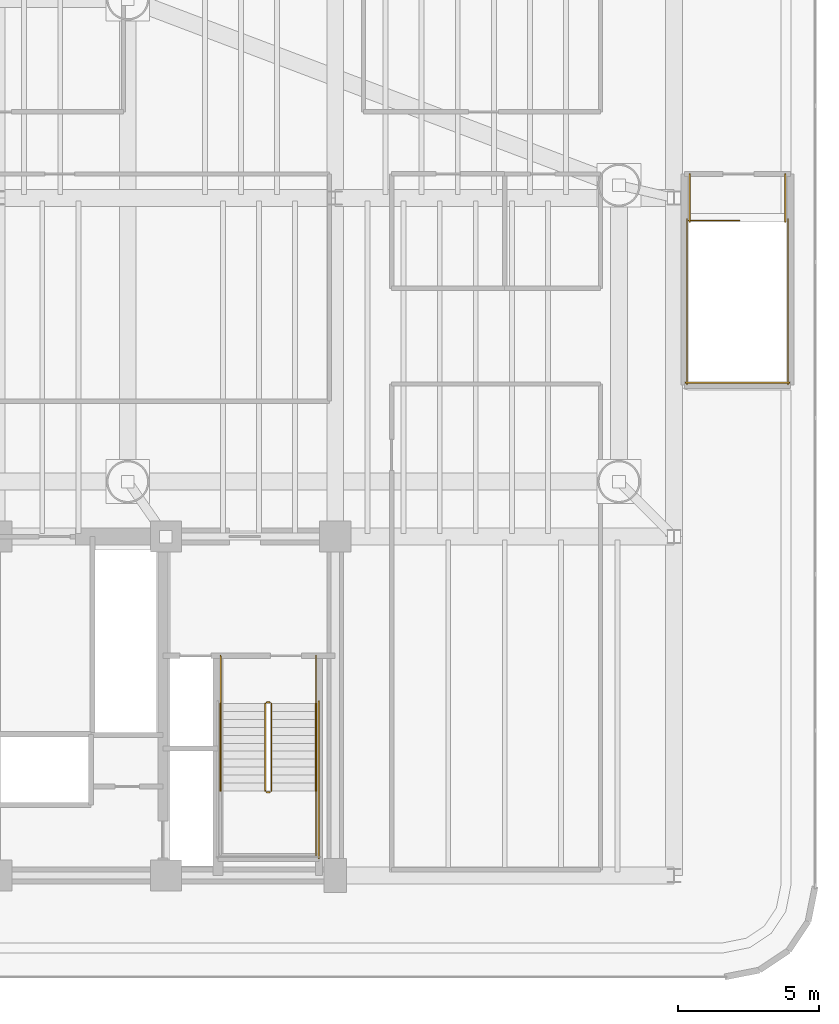
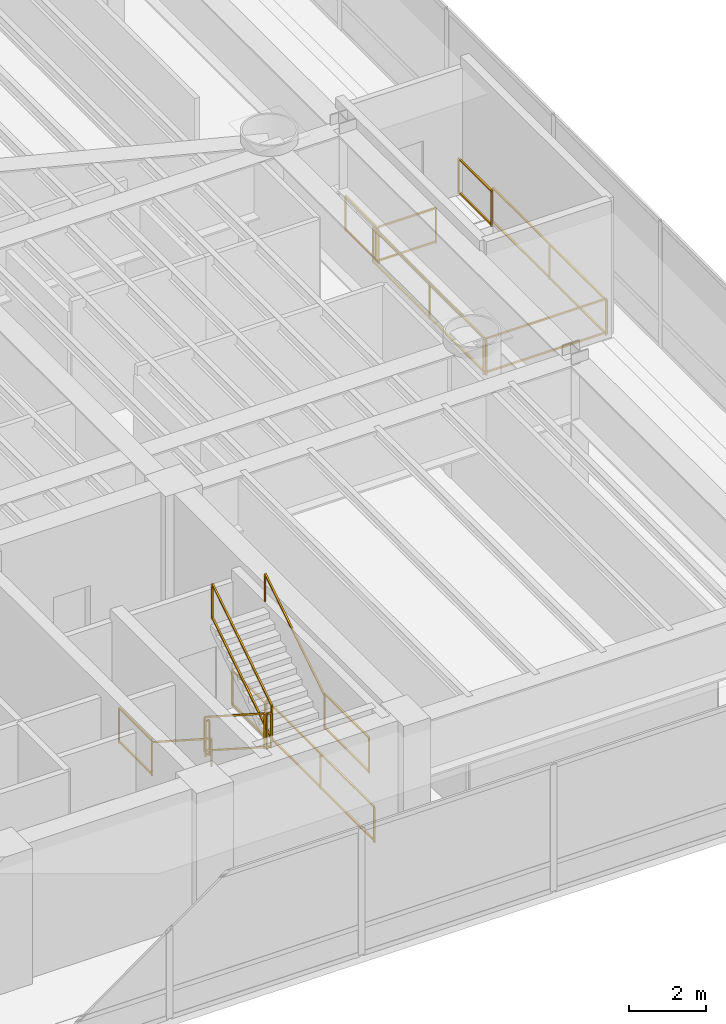
# One storey, part 18 of 18: 16 railings.
"""IFC4 building model written with IfcOpenShell, lengths in metres."""

import ifcopenshell
import ifcopenshell.guid

model = None  # the IFC model being written
_history = None  # IfcOwnerHistory: only IFC2X3 demands one
_inside = {}  # id of a spatial element -> (the spatial element, [elements in it])
_under = {}  # id of a project, library or spatial element -> (it, [spatial elements below it])
_declared = {}  # id of a project -> (the project, [libraries it declares])
_typed = {}  # id of a type object -> (the type object, [elements of that type])
_made_of = {}  # id of a material, layer set ... -> (it, [elements and type objects made of it])


def new_model(schema):
    """Start an empty IFC model of exactly this schema.

    Asked for "IFC4X3", IfcOpenShell would pick the latest addendum, in which some entities
    have other attributes; the version numbers below select the first issue.
    IFC2X3 requires an IfcOwnerHistory on every rooted entity: one is made here for all.
    """
    global model, _history
    if schema == "IFC4X3":
        model = ifcopenshell.file(schema_version=(4, 3, 0, 0))
    else:
        model = ifcopenshell.file(schema=schema)
    _inside.clear()
    _under.clear()
    _declared.clear()
    _typed.clear()
    _made_of.clear()
    _history = None
    if model.schema == "IFC2X3":
        org = make("IfcOrganization", Name="unknown")
        user = make(
            "IfcPersonAndOrganization",
            ThePerson=make("IfcPerson", FamilyName="unknown"),
            TheOrganization=org,
        )
        app = make(
            "IfcApplication",
            ApplicationDeveloper=org,
            Version="unknown",
            ApplicationFullName="unknown",
            ApplicationIdentifier="unknown",
        )
        _history = make(
            "IfcOwnerHistory",
            OwningUser=user,
            OwningApplication=app,
            ChangeAction="ADDED",
            CreationDate=0,
        )
    return model


def make(cls, **values):
    """One entity of the class cls with the attributes given. An attribute that is None is left unset."""
    return model.create_entity(
        cls, **{name: value for name, value in values.items() if value is not None}
    )


def rooted(cls, **values):
    """An entity with a GlobalId (a new one), such as an element, a storey or a relation."""
    return make(cls, GlobalId=ifcopenshell.guid.new(), OwnerHistory=_history, **values)


def si_unit(unit_type, name, prefix=None):
    """IfcSIUnit, for example si_unit("LENGTHUNIT", "METRE", prefix="MILLI")."""
    return make("IfcSIUnit", UnitType=unit_type, Prefix=prefix, Name=name)


def assignment(units):
    """IfcUnitAssignment: the units of a project."""
    return None if units is None else make("IfcUnitAssignment", Units=units)


def point(xyz):
    """IfcCartesianPoint."""
    return None if xyz is None else make("IfcCartesianPoint", Coordinates=xyz)


def direction(xyz):
    """IfcDirection."""
    return None if xyz is None else make("IfcDirection", DirectionRatios=xyz)


def frame(location, z_axis=None, x_axis=None):
    """IfcAxis2Placement3D, a coordinate frame: its origin and axes. An axis left out is left unset."""
    return make(
        "IfcAxis2Placement3D",
        Location=point(location),
        Axis=direction(z_axis),
        RefDirection=direction(x_axis),
    )


def frame_2d(location, x_axis=None):
    """IfcAxis2Placement2D, a coordinate frame in the plane: its origin and x axis."""
    return make(
        "IfcAxis2Placement2D", Location=point(location), RefDirection=direction(x_axis)
    )


def origin():
    """The frame at (0, 0, 0) with its axes left unset."""
    return frame((0.0, 0.0, 0.0))


def origin_2d():
    """The frame at (0, 0) in the plane with its x axis left unset."""
    return frame_2d((0.0, 0.0))


def place(relative_to, where):
    """IfcLocalPlacement: puts the frame where relative to a parent placement (None: the world)."""
    return make(
        "IfcLocalPlacement", PlacementRelTo=relative_to, RelativePlacement=where
    )


def context(
    kind, dimensions, precision=None, world=None, true_north=None, identifier=None
):
    """IfcGeometricRepresentationContext, for example the 3D "Model" context."""
    return make(
        "IfcGeometricRepresentationContext",
        ContextIdentifier=identifier,
        ContextType=kind,
        CoordinateSpaceDimension=dimensions,
        Precision=precision,
        WorldCoordinateSystem=world,
        TrueNorth=true_north,
    )


def subcontext(parent, identifier, kind, view, scale=None):
    """IfcGeometricRepresentationSubContext, for example "Body" below "Model"."""
    return make(
        "IfcGeometricRepresentationSubContext",
        ContextIdentifier=identifier,
        ContextType=kind,
        ParentContext=parent,
        TargetScale=scale,
        TargetView=view,
    )


def project(units=None, contexts=None):
    """IfcProject with its units and contexts."""
    return rooted(
        "IfcProject",
        Name="project",
        RepresentationContexts=contexts,
        UnitsInContext=assignment(units),
    )


def spatial(cls, under=None, at=None, **own):
    """A site, building, storey or space (cls), placed at a placement, below another one or the project."""
    s = rooted(cls, ObjectPlacement=at, **own)
    if under is not None:
        _under.setdefault(under.id(), (under, []))[1].append(s)
    return s


def profile(cls, at=None, kind="AREA", **sizes):
    """A parametric profile (cls). Its sizes go by their IFC names, for example OverallWidth=200.0."""
    return make(cls, ProfileType=kind, Position=at, **sizes)


def rectangle(**sizes):
    """IfcRectangleProfileDef."""
    return profile("IfcRectangleProfileDef", **sizes)


def extrude(swept, where, along, depth):
    """IfcExtrudedAreaSolid: the profile swept, set in the frame where, extruded along a direction by depth."""
    return make(
        "IfcExtrudedAreaSolid",
        SweptArea=swept,
        Position=where,
        ExtrudedDirection=direction(along),
        Depth=depth,
    )


def shape(context_of_items, identifier, shape_type, items):
    """IfcShapeRepresentation: the items that make up one representation, for example the "Body"."""
    return make(
        "IfcShapeRepresentation",
        ContextOfItems=context_of_items,
        RepresentationIdentifier=identifier,
        RepresentationType=shape_type,
        Items=items,
    )


def material(Name=None, Category=None):
    """IfcMaterial."""
    return make("IfcMaterial", Name=Name, Category=Category)


def layer(
    of_material, thickness, ventilated=None, Name=None, Category=None, Priority=None
):
    """IfcMaterialLayer: one layer of a wall or slab, of a material (None: an air gap)."""
    return make(
        "IfcMaterialLayer",
        Material=of_material,
        LayerThickness=thickness,
        IsVentilated=ventilated,
        Name=Name,
        Category=Category,
        Priority=Priority,
    )


def layer_set(layers, Name=None):
    """IfcMaterialLayerSet."""
    return make("IfcMaterialLayerSet", MaterialLayers=layers, LayerSetName=Name)


def made_of(thing, what):
    """Note that an element or type object is made of a material, layer set ...; save() writes the relation."""
    if what is not None:
        _made_of.setdefault(what.id(), (what, []))[1].append(thing)
    return thing


def type_object(cls, material=None, **own):
    """A type object (cls), such as IfcWallType, which elements share."""
    return made_of(rooted(cls, **own), material)


def element(
    cls,
    number,
    at=None,
    inside=None,
    cuts=None,
    type_object=None,
    material=None,
    context=None,
    identifier="Body",
    shape_type=None,
    held_by="IfcProductDefinitionShape",
    body=None,
    shapes=None,
    **own,
):
    """One element of the class cls, such as IfcWall. Its Tag is "e" and its number.

    at: its placement. inside: the storey or other place that contains it. cuts: it is an
    opening in that element (IfcRelVoidsElement). A single representation is given by context,
    identifier, shape_type and body (its items); several are given by shapes. held_by: the class
    of the entity that holds the representations. save() writes the other relations.
    """
    e = rooted(cls, Tag="e%d" % number, ObjectPlacement=at, **own)
    if body is not None:
        shapes = [shape(context, identifier, shape_type, body)]
    if shapes is not None:
        e.Representation = make(held_by, Representations=shapes)
    if inside is not None:
        _inside.setdefault(inside.id(), (inside, []))[1].append(e)
    if cuts is not None:
        rooted(
            "IfcRelVoidsElement", RelatingBuildingElement=cuts, RelatedOpeningElement=e
        )
    if type_object is not None:
        _typed.setdefault(type_object.id(), (type_object, []))[1].append(e)
    return made_of(e, material)


def aggregate(whole, parts):
    """IfcRelAggregates: a whole, such as a stair, and the parts it consists of."""
    return rooted("IfcRelAggregates", RelatingObject=whole, RelatedObjects=parts)


def save(model, path):
    """Write the relations noted so far, then the file.

    IfcRelAggregates (storeys below a building ...), IfcRelContainedInSpatialStructure (elements
    in a storey), IfcRelDefinesByType, IfcRelAssociatesMaterial and IfcRelDeclares: one each for
    every whole, place, type object, material and project.
    """
    for whole, parts in _under.values():
        aggregate(whole, parts)
    for where, things in _inside.values():
        rooted(
            "IfcRelContainedInSpatialStructure",
            RelatedElements=things,
            RelatingStructure=where,
        )
    for kind, things in _typed.values():
        rooted("IfcRelDefinesByType", RelatedObjects=things, RelatingType=kind)
    for what, things in _made_of.values():
        rooted("IfcRelAssociatesMaterial", RelatedObjects=things, RelatingMaterial=what)
    for by, libraries in _declared.values():
        rooted("IfcRelDeclares", RelatingContext=by, RelatedDefinitions=libraries)
    model.write(path)


model = new_model("IFC4")

# Units and contexts
model_context = context("Model", 3, precision=1e-05, world=origin(), true_north=direction((0.0, 1.0)))
body_context = subcontext(model_context, "Body", "Model", "MODEL_VIEW")
ifc_project = project(units=[si_unit("LENGTHUNIT", "METRE"), si_unit("AREAUNIT", "SQUARE_METRE"), si_unit("VOLUMEUNIT", "CUBIC_METRE"), si_unit("PLANEANGLEUNIT", "RADIAN"), si_unit("MASSUNIT", "GRAM", prefix="KILO")], contexts=[model_context])

# Site, building, storey
site_placement = place(None, origin())
site = spatial("IfcSite", under=ifc_project, at=site_placement, CompositionType="ELEMENT")
building_placement = place(site_placement, origin())
building = spatial("IfcBuilding", under=site, at=building_placement, Name="Brelvock Crest Care Tower", CompositionType="ELEMENT")
storey_placement = place(building_placement, frame((0.0, 0.0, 22.679931640625)))
storey = spatial("IfcBuildingStorey", under=building, at=storey_placement, Name="L05", CompositionType="ELEMENT", Elevation=22.679931640625)

# Railings
ifc_material = material(Name="Steel Grade 350", Category="steel")
ifc_layer_1 = layer(ifc_material, 0.050048828125, Name="RL-STG1")
ifc_layer_set_1 = layer_set([ifc_layer_1], Name="Steel Grade 350")
railing_type_1 = type_object("IfcRailingType", Name="RL-STG1", PredefinedType="GUARDRAIL", material=ifc_layer_set_1)
railing_1_placement = place(storey_placement, frame((45.52001953125, 12.080078125, 0.18017578125)))
element("IfcRailing", 1, at=railing_1_placement, inside=storey, type_object=railing_type_1, Name="L05 ST-2 stair guard 1", PredefinedType="GUARDRAIL", context=body_context, shape_type="SweptSolid", body=[
    extrude(rectangle(XDim=0.048095703125, YDim=0.048095703125, at=origin_2d()), frame((0.0, -0.001708984375, 1.116943359375), z_axis=(0.0, -0.84118714077, 0.540744111576), x_axis=(1.0, 0.0, 0.0)), (0.0, 0.0, 1.0), 3.657470703125),
    extrude(rectangle(XDim=0.048095703125, YDim=0.048095703125, at=origin_2d()), frame((0.0, -0.001708984375, 0.05615234375), z_axis=(0.0, -0.84118714077, 0.540744111576), x_axis=(1.0, 0.0, 0.0)), (0.0, 0.0, 1.0), 3.657470703125),
    extrude(rectangle(XDim=0.0419921875, YDim=0.0419921875, at=origin_2d()), origin(), (0.0, 0.0, 1.0), 1.08984375),
    extrude(rectangle(XDim=0.0419921875, YDim=0.0419921875, at=origin_2d()), frame((0.0, -3.080078125, 1.97998046875)), (0.0, 0.0, 1.0), 1.08984375),
])
railing_2_placement = place(storey_placement, frame((45.570068359375, 8.949951171875, 2.16015625)))
element("IfcRailing", 2, at=railing_2_placement, inside=storey, type_object=railing_type_1, Name="L05 ST-2 stair guard 2", PredefinedType="GUARDRAIL", context=body_context, shape_type="SweptSolid", body=[
    extrude(rectangle(XDim=0.048095703125, YDim=0.048095703125, at=origin_2d()), frame((0.001953125, 0.0, 1.11572265625), z_axis=(1.0, 0.0, 0.0), x_axis=(0.0, 1.0, 0.0)), (0.0, 0.0, 1.0), 0.115966796875),
    extrude(rectangle(XDim=0.048095703125, YDim=0.048095703125, at=origin_2d()), frame((0.001953125, 0.0, 0.054931640625), z_axis=(1.0, 0.0, 0.0), x_axis=(0.0, 1.0, 0.0)), (0.0, 0.0, 1.0), 0.115966796875),
    extrude(rectangle(XDim=0.0419921875, YDim=0.0419921875, at=origin_2d()), origin(), (0.0, 0.0, 1.0), 1.08984375),
    extrude(rectangle(XDim=0.0419921875, YDim=0.0419921875, at=origin_2d()), frame((0.119873046875, 0.0, 0.0)), (0.0, 0.0, 1.0), 1.08984375),
])
railing_3_placement = place(storey_placement, frame((47.320068359375, 9.0, 2.16015625)))
element("IfcRailing", 3, at=railing_3_placement, inside=storey, type_object=railing_type_1, Name="L05 ST-2 stair guard 4", PredefinedType="GUARDRAIL", context=body_context, shape_type="SweptSolid", body=[
    extrude(rectangle(XDim=0.048095703125, YDim=0.048095703125, at=origin_2d()), frame((0.0, -0.001953125, 1.11572265625), z_axis=(0.0, -1.0, 0.0), x_axis=(1.0, 0.0, 0.0)), (0.0, 0.0, 1.0), 2.296142578125),
    extrude(rectangle(XDim=0.048095703125, YDim=0.048095703125, at=origin_2d()), frame((0.0, -0.001953125, 0.054931640625), z_axis=(0.0, -1.0, 0.0), x_axis=(1.0, 0.0, 0.0)), (0.0, 0.0, 1.0), 2.296142578125),
    extrude(rectangle(XDim=0.0419921875, YDim=0.0419921875, at=origin_2d()), origin(), (0.0, 0.0, 1.0), 1.08984375),
    extrude(rectangle(XDim=0.0419921875, YDim=0.0419921875, at=origin_2d()), frame((0.0, -2.300048828125, 0.0)), (0.0, 0.0, 1.0), 1.08984375),
])
railing_4_placement = place(storey_placement, frame((45.739990234375, 9.0, 2.340087890625)))
element("IfcRailing", 4, at=railing_4_placement, inside=storey, type_object=railing_type_1, Name="L05 ST-2 stair guard 6", PredefinedType="GUARDRAIL", context=body_context, shape_type="SweptSolid", body=[
    extrude(rectangle(XDim=0.048095703125, YDim=0.048095703125, at=origin_2d()), frame((0.0, 0.001708984375, 1.116943359375), z_axis=(0.0, 0.84118714077, 0.540744111576), x_axis=(-1.0, 0.0, 0.0)), (0.0, 0.0, 1.0), 3.657470703125),
    extrude(rectangle(XDim=0.048095703125, YDim=0.048095703125, at=origin_2d()), frame((0.0, 0.001708984375, 0.05615234375), z_axis=(0.0, 0.84118714077, 0.540744111576), x_axis=(-1.0, 0.0, 0.0)), (0.0, 0.0, 1.0), 3.657470703125),
    extrude(rectangle(XDim=0.0419921875, YDim=0.0419921875, at=origin_2d()), origin(), (0.0, 0.0, 1.0), 1.08984375),
    extrude(rectangle(XDim=0.0419921875, YDim=0.0419921875, at=origin_2d()), frame((0.0, 3.080078125, 1.97998046875)), (0.0, 0.0, 1.0), 1.08984375),
])
railing_5_placement = place(storey_placement, frame((45.570068359375, 12.1298828125, 0.0)))
element("IfcRailing", 5, at=railing_5_placement, inside=storey, type_object=railing_type_1, Name="L05 ST-2 stair guard 7", PredefinedType="GUARDRAIL", context=body_context, shape_type="SweptSolid", body=[
    extrude(rectangle(XDim=0.048095703125, YDim=0.048095703125, at=origin_2d()), frame((0.001953125, 0.0, 1.11572265625), z_axis=(1.0, 0.0, 0.0), x_axis=(0.0, 1.0, 0.0)), (0.0, 0.0, 1.0), 0.115966796875),
    extrude(rectangle(XDim=0.048095703125, YDim=0.048095703125, at=origin_2d()), frame((0.001953125, 0.0, 0.054931640625), z_axis=(1.0, 0.0, 0.0), x_axis=(0.0, 1.0, 0.0)), (0.0, 0.0, 1.0), 0.115966796875),
    extrude(rectangle(XDim=0.0419921875, YDim=0.0419921875, at=origin_2d()), origin(), (0.0, 0.0, 1.0), 1.08984375),
    extrude(rectangle(XDim=0.0419921875, YDim=0.0419921875, at=origin_2d()), frame((0.119873046875, 0.0, 0.0)), (0.0, 0.0, 1.0), 1.08984375),
])
for number, where, name in (
    (6, (43.93994140625, 13.780029296875, 0.0), "L05 ST-2 stair guard 8"),
    (7, (47.320068359375, 13.780029296875, 0.0), "L05 ST-2 stair guard 9"),
):
    element("IfcRailing", number, at=place(storey_placement, frame(where)), inside=storey, type_object=railing_type_1, Name=name, PredefinedType="GUARDRAIL", context=body_context, shape_type="SweptSolid", body=[
        extrude(rectangle(XDim=0.048095703125, YDim=0.048095703125, at=origin_2d()), frame((0.0, -0.001953125, 1.11572265625), z_axis=(0.0, -1.0, 0.0), x_axis=(1.0, 0.0, 0.0)), (0.0, 0.0, 1.0), 1.696044921875),
        extrude(rectangle(XDim=0.048095703125, YDim=0.048095703125, at=origin_2d()), frame((0.0, -0.001953125, 0.054931640625), z_axis=(0.0, -1.0, 0.0), x_axis=(1.0, 0.0, 0.0)), (0.0, 0.0, 1.0), 1.696044921875),
        extrude(rectangle(XDim=0.0419921875, YDim=0.0419921875, at=origin_2d()), origin(), (0.0, 0.0, 1.0), 1.08984375),
        extrude(rectangle(XDim=0.0419921875, YDim=0.0419921875, at=origin_2d()), frame((0.0, -1.699951171875, 0.0)), (0.0, 0.0, 1.0), 1.08984375),
    ])
railing_6_placement = place(storey_placement, frame((47.419921875, 12.179931640625, 0.0)))
element("IfcRailing", 8, at=railing_6_placement, inside=storey, type_object=railing_type_1, Name="L05 ST-2 stair guard 11", PredefinedType="GUARDRAIL", context=body_context, shape_type="SweptSolid", body=[
    extrude(rectangle(XDim=0.048095703125, YDim=0.048095703125, at=origin_2d()), frame((0.0, -0.001953125, 1.11572265625), z_axis=(0.0, -1.0, 0.0), x_axis=(1.0, 0.0, 0.0)), (0.0, 0.0, 1.0), 5.575927734375),
    extrude(rectangle(XDim=0.048095703125, YDim=0.048095703125, at=origin_2d()), frame((0.0, -0.001953125, 0.054931640625), z_axis=(0.0, -1.0, 0.0), x_axis=(1.0, 0.0, 0.0)), (0.0, 0.0, 1.0), 5.575927734375),
    extrude(rectangle(XDim=0.0419921875, YDim=0.0419921875, at=origin_2d()), origin(), (0.0, 0.0, 1.0), 1.08984375),
    extrude(rectangle(XDim=0.0419921875, YDim=0.0419921875, at=origin_2d()), frame((0.0, -2.7900390625, 0.0)), (0.0, 0.0, 1.0), 1.08984375),
    extrude(rectangle(XDim=0.0419921875, YDim=0.0419921875, at=origin_2d()), frame((0.0, -5.579833984375, 0.0)), (0.0, 0.0, 1.0), 1.08984375),
])
railing_7_placement = place(storey_placement, frame((60.510009765625, 29.199951171875, 0.0)))
element("IfcRailing", 9, at=railing_7_placement, inside=storey, type_object=railing_type_1, Name="L05 ST-4 top well guard 1", PredefinedType="GUARDRAIL", context=body_context, shape_type="SweptSolid", body=[
    extrude(rectangle(XDim=0.048095703125, YDim=0.048095703125, at=origin_2d()), frame((0.001953125, 0.0, 1.11572265625), z_axis=(1.0, 0.0, 0.0), x_axis=(0.0, 1.0, 0.0)), (0.0, 0.0, 1.0), 1.796142578125),
    extrude(rectangle(XDim=0.048095703125, YDim=0.048095703125, at=origin_2d()), frame((0.001953125, 0.0, 0.054931640625), z_axis=(1.0, 0.0, 0.0), x_axis=(0.0, 1.0, 0.0)), (0.0, 0.0, 1.0), 1.796142578125),
    extrude(rectangle(XDim=0.0419921875, YDim=0.0419921875, at=origin_2d()), origin(), (0.0, 0.0, 1.0), 1.08984375),
    extrude(rectangle(XDim=0.0419921875, YDim=0.0419921875, at=origin_2d()), frame((1.800048828125, 0.0, 0.0)), (0.0, 0.0, 1.0), 1.08984375),
])
for number, where, name in (
    (10, (60.4599609375, 29.25, 0.0), "L05 ST-4 top well guard 2"),
    (11, (64.0400390625, 29.25, 0.0), "L05 ST-4 top well guard 3"),
):
    element("IfcRailing", number, at=place(storey_placement, frame(where)), inside=storey, type_object=railing_type_1, Name=name, PredefinedType="GUARDRAIL", context=body_context, shape_type="SweptSolid", body=[
        extrude(rectangle(XDim=0.048095703125, YDim=0.048095703125, at=origin_2d()), frame((0.0, -0.001953125, 1.11572265625), z_axis=(0.0, -1.0, 0.0), x_axis=(1.0, 0.0, 0.0)), (0.0, 0.0, 1.0), 5.84619140625),
        extrude(rectangle(XDim=0.048095703125, YDim=0.048095703125, at=origin_2d()), frame((0.0, -0.001953125, 0.054931640625), z_axis=(0.0, -1.0, 0.0), x_axis=(1.0, 0.0, 0.0)), (0.0, 0.0, 1.0), 5.84619140625),
        extrude(rectangle(XDim=0.0419921875, YDim=0.0419921875, at=origin_2d()), origin(), (0.0, 0.0, 1.0), 1.08984375),
        extrude(rectangle(XDim=0.0419921875, YDim=0.0419921875, at=origin_2d()), frame((0.0, -2.925048828125, 0.0)), (0.0, 0.0, 1.0), 1.08984375),
        extrude(rectangle(XDim=0.0419921875, YDim=0.0419921875, at=origin_2d()), frame((0.0, -5.85009765625, 0.0)), (0.0, 0.0, 1.0), 1.08984375),
    ])
railing_8_placement = place(storey_placement, frame((60.409912109375, 23.449951171875, 0.0)))
element("IfcRailing", 12, at=railing_8_placement, inside=storey, type_object=railing_type_1, Name="L05 ST-4 top well guard 4", PredefinedType="GUARDRAIL", context=body_context, shape_type="SweptSolid", body=[
    extrude(rectangle(XDim=0.048095703125, YDim=0.048095703125, at=origin_2d()), frame((0.001953125, 0.0, 1.11572265625), z_axis=(1.0, 0.0, 0.0), x_axis=(0.0, 1.0, 0.0)), (0.0, 0.0, 1.0), 3.67626953125),
    extrude(rectangle(XDim=0.048095703125, YDim=0.048095703125, at=origin_2d()), frame((0.001953125, 0.0, 0.054931640625), z_axis=(1.0, 0.0, 0.0), x_axis=(0.0, 1.0, 0.0)), (0.0, 0.0, 1.0), 3.67626953125),
    extrude(rectangle(XDim=0.0419921875, YDim=0.0419921875, at=origin_2d()), origin(), (0.0, 0.0, 1.0), 1.08984375),
    extrude(rectangle(XDim=0.0419921875, YDim=0.0419921875, at=origin_2d()), frame((3.68017578125, 0.0, 0.0)), (0.0, 0.0, 1.0), 1.08984375),
])
for number, where, name in (
    (13, (60.56005859375, 30.85009765625, 0.0), "L05 ST-4 top well guard 5"),
    (14, (63.93994140625, 30.85009765625, 0.0), "L05 ST-4 top well guard 6"),
):
    element("IfcRailing", number, at=place(storey_placement, frame(where)), inside=storey, type_object=railing_type_1, Name=name, PredefinedType="GUARDRAIL", context=body_context, shape_type="SweptSolid", body=[
        extrude(rectangle(XDim=0.048095703125, YDim=0.048095703125, at=origin_2d()), frame((0.0, -0.001953125, 1.11572265625), z_axis=(0.0, -1.0, 0.0), x_axis=(1.0, 0.0, 0.0)), (0.0, 0.0, 1.0), 1.6962890625),
        extrude(rectangle(XDim=0.048095703125, YDim=0.048095703125, at=origin_2d()), frame((0.0, -0.001953125, 0.054931640625), z_axis=(0.0, -1.0, 0.0), x_axis=(1.0, 0.0, 0.0)), (0.0, 0.0, 1.0), 1.6962890625),
        extrude(rectangle(XDim=0.0419921875, YDim=0.0419921875, at=origin_2d()), origin(), (0.0, 0.0, 1.0), 1.08984375),
        extrude(rectangle(XDim=0.0419921875, YDim=0.0419921875, at=origin_2d()), frame((0.0, -1.7001953125, 0.0)), (0.0, 0.0, 1.0), 1.08984375),
    ])
ifc_layer_2 = layer(ifc_material, 0.048095703125, Name="RL-STH1")
ifc_layer_set_2 = layer_set([ifc_layer_2], Name="Steel Grade 350")
railing_type_2 = type_object("IfcRailingType", Name="RL-STH1", PredefinedType="HANDRAIL", material=ifc_layer_set_2)
railing_9_placement = place(storey_placement, frame((43.93994140625, 12.080078125, 0.18017578125)))
element("IfcRailing", 15, at=railing_9_placement, inside=storey, type_object=railing_type_2, Name="L05 ST-2 stair handrail 1", PredefinedType="HANDRAIL", context=body_context, shape_type="SweptSolid", body=[
    extrude(rectangle(XDim=0.048095703125, YDim=0.048095703125, at=origin_2d()), frame((0.0, -0.001708984375, 0.876953125), z_axis=(0.0, -0.84118714077, 0.540744111576), x_axis=(1.0, 0.0, 0.0)), (0.0, 0.0, 1.0), 3.657470703125),
    extrude(rectangle(XDim=0.0419921875, YDim=0.0419921875, at=origin_2d()), origin(), (0.0, 0.0, 1.0), 0.849853515625),
    extrude(rectangle(XDim=0.0419921875, YDim=0.0419921875, at=origin_2d()), frame((0.0, -3.080078125, 1.97998046875)), (0.0, 0.0, 1.0), 0.849853515625),
])
railing_10_placement = place(storey_placement, frame((47.320068359375, 9.0, 2.340087890625)))
element("IfcRailing", 16, at=railing_10_placement, inside=storey, type_object=railing_type_2, Name="L05 ST-2 stair handrail 2", PredefinedType="HANDRAIL", context=body_context, shape_type="SweptSolid", body=[
    extrude(rectangle(XDim=0.048095703125, YDim=0.048095703125, at=origin_2d()), frame((0.0, 0.001708984375, 0.876953125), z_axis=(0.0, 0.84118714077, 0.540744111576), x_axis=(-1.0, 0.0, 0.0)), (0.0, 0.0, 1.0), 3.657470703125),
    extrude(rectangle(XDim=0.0419921875, YDim=0.0419921875, at=origin_2d()), origin(), (0.0, 0.0, 1.0), 0.849853515625),
    extrude(rectangle(XDim=0.0419921875, YDim=0.0419921875, at=origin_2d()), frame((0.0, 3.080078125, 1.97998046875)), (0.0, 0.0, 1.0), 0.849853515625),
])

save(model, "model.ifc")
